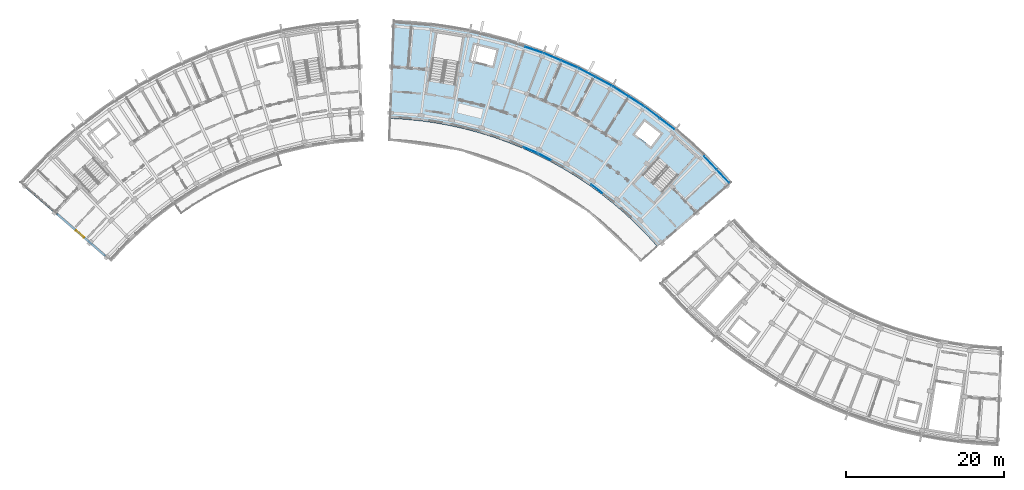
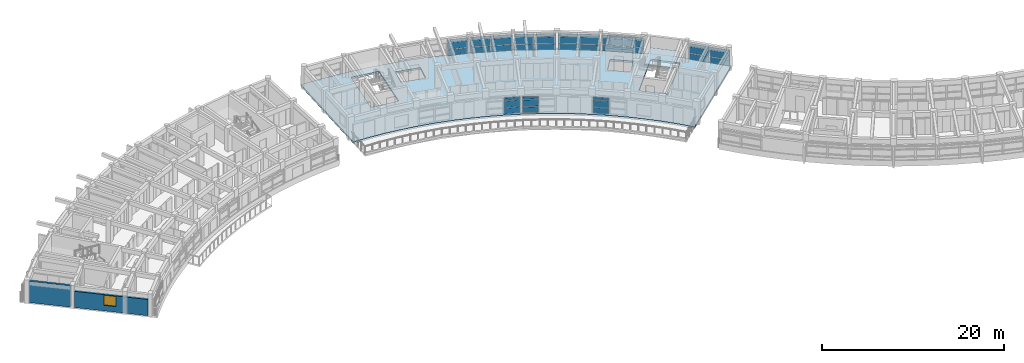
# One storey, part 19 of 38: 42 plates, 2 slabs, 2 walls, 1 window, 1 opening, 10 elements without a shape of their own.
"""IFC4 building model written with IfcOpenShell, lengths in metres."""

from ifc_helpers import new_model, si_unit, direction, frame, frame_2d, origin, origin_2d, place, context, subcontext, project, spatial, polyline, rectangle, outline, extrude, material, layer, layer_set, type_object, element, fill, aggregate, save


model = new_model("IFC4")

# Units and contexts
model_context = context("Model", 3, precision=1e-05, world=origin(), true_north=direction((0.0, 1.0)))
body_context = subcontext(model_context, "Body", "Model", "MODEL_VIEW")
ifc_project = project(units=[si_unit("LENGTHUNIT", "METRE"), si_unit("AREAUNIT", "SQUARE_METRE"), si_unit("VOLUMEUNIT", "CUBIC_METRE"), si_unit("PLANEANGLEUNIT", "RADIAN"), si_unit("MASSUNIT", "GRAM", prefix="KILO")], contexts=[model_context])

# Site, building, storey
site_placement = place(None, origin())
site = spatial("IfcSite", under=ifc_project, at=site_placement, CompositionType="ELEMENT")
building_placement = place(site_placement, origin())
building = spatial("IfcBuilding", under=site, at=building_placement, Name="Zimvara Arc Housing Community", CompositionType="ELEMENT")
storey_placement = place(building_placement, frame((0.0, 0.0, 29.800048828125)))
storey = spatial("IfcBuildingStorey", under=building, at=storey_placement, Name="L09", CompositionType="ELEMENT", Elevation=29.800048828125)

# Curtain wall, plates
ifc_material_1 = material(Name="Anodised Aluminium AW-6063", Category="aluminium")
curtain_wall_type_1 = type_object("IfcCurtainWallType", Name="CW-SYS-08", PredefinedType="USERDEFINED", material=ifc_material_1)
curtain_wall_1_placement = place(storey_placement, origin())
curtain_wall_1 = element("IfcCurtainWall", 1, at=curtain_wall_1_placement, inside=storey, type_object=curtain_wall_type_1, Name="cw:blkB:L09:in:b4", ObjectType="CURTAIN WALL", PredefinedType="USERDEFINED")
ifc_material_2 = material(Name="Pale-Gold Anodised Aluminium Spandrel Panel", Category="aluminium")
ifc_layer_1 = layer(ifc_material_2, 0.035888671875)
ifc_layer_set_1 = layer_set([ifc_layer_1], Name="Pale-Gold Anodised Aluminium Spandrel Panel")
plate_type_1 = type_object("IfcPlateType", Name="CWP-GLD-36", PredefinedType="CURTAIN_PANEL", material=ifc_layer_set_1)
plate_1_placement = place(storey_placement, frame((64.5576171875, 87.66552734375, 0.06494140625), z_axis=(0.0, 0.0, 1.0), x_axis=(0.918722411261, -0.394903951674, 0.0)))
plate_1 = element("IfcPlate", 2, at=plate_1_placement, type_object=plate_type_1, Name="CW08 panel 2.1", PredefinedType="CURTAIN_PANEL", context=body_context, shape_type="SweptSolid", body=[
    extrude(rectangle(XDim=1.778564453125, YDim=0.035888671875, at=origin_2d()), origin(), (0.0, 0.0, 1.0), 0.75244140625),
])
plate_2_placement = place(storey_placement, frame((64.5576171875, 87.66552734375, 0.88232421875), z_axis=(0.0, 0.0, 1.0), x_axis=(0.918722411261, -0.394903951674, 0.0)))
plate_2 = element("IfcPlate", 3, at=plate_2_placement, type_object=plate_type_1, Name="CW08 panel 2.2", PredefinedType="CURTAIN_PANEL", context=body_context, shape_type="SweptSolid", body=[
    extrude(rectangle(XDim=1.778564453125, YDim=0.035888671875, at=origin_2d()), origin(), (0.0, 0.0, 1.0), 0.885009765625),
])
plate_3_placement = place(storey_placement, frame((64.5576171875, 87.66552734375, 1.83251953125), z_axis=(0.0, 0.0, 1.0), x_axis=(0.918722411261, -0.394903951674, 0.0)))
plate_3 = element("IfcPlate", 4, at=plate_3_placement, type_object=plate_type_1, Name="CW08 panel 2.3", PredefinedType="CURTAIN_PANEL", context=body_context, shape_type="SweptSolid", body=[
    extrude(rectangle(XDim=1.778564453125, YDim=0.035888671875, at=origin_2d()), origin(), (0.0, 0.0, 1.0), 0.3525390625),
])
aggregate(curtain_wall_1, [plate_1, plate_2, plate_3])

ifc_material_3 = material(Name="Anodised Aluminium AW-6063", Category="aluminium")
curtain_wall_type_2 = type_object("IfcCurtainWallType", Name="CW-SYS-04", PredefinedType="USERDEFINED", material=ifc_material_3)
curtain_wall_2_placement = place(storey_placement, origin())
curtain_wall_2 = element("IfcCurtainWall", 5, at=curtain_wall_2_placement, inside=storey, type_object=curtain_wall_type_2, Name="cw:blkB:L09:out:b7", ObjectType="CURTAIN WALL", PredefinedType="USERDEFINED")
plate_4_placement = place(storey_placement, frame((80.026123046875, 92.40234375, 0.06494140625), z_axis=(0.0, 0.0, 1.0), x_axis=(0.795473999177, -0.60598771987, 0.0)))
plate_4 = element("IfcPlate", 6, at=plate_4_placement, type_object=plate_type_1, Name="CW04 panel 1.1", PredefinedType="CURTAIN_PANEL", context=body_context, shape_type="SweptSolid", body=[
    extrude(rectangle(XDim=2.266845703125, YDim=0.035888671875, at=origin_2d()), origin(), (0.0, 0.0, 1.0), 0.75244140625),
])
plate_5_placement = place(storey_placement, frame((80.026123046875, 92.40234375, 0.88232421875), z_axis=(0.0, 0.0, 1.0), x_axis=(0.795473999177, -0.60598771987, 0.0)))
plate_5 = element("IfcPlate", 7, at=plate_5_placement, type_object=plate_type_1, Name="CW04 panel 1.2", PredefinedType="CURTAIN_PANEL", context=body_context, shape_type="SweptSolid", body=[
    extrude(rectangle(XDim=2.266845703125, YDim=0.035888671875, at=origin_2d()), origin(), (0.0, 0.0, 1.0), 0.885009765625),
])
plate_6_placement = place(storey_placement, frame((80.026123046875, 92.40234375, 1.83251953125), z_axis=(0.0, 0.0, 1.0), x_axis=(0.795473999177, -0.60598771987, 0.0)))
plate_6 = element("IfcPlate", 8, at=plate_6_placement, type_object=plate_type_1, Name="CW04 panel 1.3", PredefinedType="CURTAIN_PANEL", context=body_context, shape_type="SweptSolid", body=[
    extrude(rectangle(XDim=2.266845703125, YDim=0.035888671875, at=origin_2d()), origin(), (0.0, 0.0, 1.0), 0.3525390625),
])
plate_7_placement = place(storey_placement, frame((81.881103515625, 90.9892578125, 0.06494140625), z_axis=(0.0, 0.0, 1.0), x_axis=(0.795473999177, -0.60598771987, 0.0)))
plate_7 = element("IfcPlate", 9, at=plate_7_placement, type_object=plate_type_1, Name="CW04 panel 2.1", PredefinedType="CURTAIN_PANEL", context=body_context, shape_type="SweptSolid", body=[
    extrude(rectangle(XDim=2.266845703125, YDim=0.035888671875, at=origin_2d()), origin(), (0.0, 0.0, 1.0), 0.75244140625),
])
plate_8_placement = place(storey_placement, frame((81.881103515625, 90.9892578125, 0.88232421875), z_axis=(0.0, 0.0, 1.0), x_axis=(0.795473999177, -0.60598771987, 0.0)))
plate_8 = element("IfcPlate", 10, at=plate_8_placement, type_object=plate_type_1, Name="CW04 panel 2.2", PredefinedType="CURTAIN_PANEL", context=body_context, shape_type="SweptSolid", body=[
    extrude(rectangle(XDim=2.266845703125, YDim=0.035888671875, at=origin_2d()), origin(), (0.0, 0.0, 1.0), 0.885009765625),
])
plate_9_placement = place(storey_placement, frame((81.881103515625, 90.9892578125, 1.83251953125), z_axis=(0.0, 0.0, 1.0), x_axis=(0.795473999177, -0.60598771987, 0.0)))
plate_9 = element("IfcPlate", 11, at=plate_9_placement, type_object=plate_type_1, Name="CW04 panel 2.3", PredefinedType="CURTAIN_PANEL", context=body_context, shape_type="SweptSolid", body=[
    extrude(rectangle(XDim=2.266845703125, YDim=0.035888671875, at=origin_2d()), origin(), (0.0, 0.0, 1.0), 0.3525390625),
])
aggregate(curtain_wall_2, [plate_4, plate_5, plate_6, plate_7, plate_8, plate_9])

ifc_material_4 = material(Name="Anodised Aluminium AW-6063", Category="aluminium")
curtain_wall_type_3 = type_object("IfcCurtainWallType", Name="CW-SYS-01", PredefinedType="USERDEFINED", material=ifc_material_4)
curtain_wall_3_placement = place(storey_placement, origin())
curtain_wall_3 = element("IfcCurtainWall", 12, at=curtain_wall_3_placement, inside=storey, type_object=curtain_wall_type_3, Name="cw:blkB:L09:out:b5", ObjectType="CURTAIN WALL", PredefinedType="USERDEFINED")
ifc_material_5 = material(Name="Solar Control Low-E Double Glazing", Category="glass")
ifc_layer_2 = layer(ifc_material_5, 0.02392578125)
ifc_layer_set_2 = layer_set([ifc_layer_2], Name="Solar Control Low-E Double Glazing")
plate_type_2 = type_object("IfcPlateType", Name="CWP-GLZ-24", PredefinedType="CURTAIN_PANEL", material=ifc_layer_set_2)
plate_10_placement = place(storey_placement, frame((71.76904296875, 97.461181640625, 0.06494140625), z_axis=(0.0, 0.0, 1.0), x_axis=(0.883438614651, -0.468546917761, 0.0)))
plate_10 = element("IfcPlate", 13, at=plate_10_placement, type_object=plate_type_2, Name="CW01 panel 1.1", PredefinedType="CURTAIN_PANEL", context=body_context, shape_type="SweptSolid", body=[
    extrude(rectangle(XDim=2.266845703125, YDim=0.02392578125, at=origin_2d()), origin(), (0.0, 0.0, 1.0), 0.75244140625),
])
plate_11_placement = place(storey_placement, frame((71.76904296875, 97.461181640625, 0.88232421875), z_axis=(0.0, 0.0, 1.0), x_axis=(0.883438614651, -0.468546917761, 0.0)))
plate_11 = element("IfcPlate", 14, at=plate_11_placement, type_object=plate_type_2, Name="CW01 panel 1.2", PredefinedType="CURTAIN_PANEL", context=body_context, shape_type="SweptSolid", body=[
    extrude(rectangle(XDim=2.266845703125, YDim=0.02392578125, at=origin_2d()), origin(), (0.0, 0.0, 1.0), 0.885009765625),
])
plate_12_placement = place(storey_placement, frame((71.76904296875, 97.461181640625, 1.83251953125), z_axis=(0.0, 0.0, 1.0), x_axis=(0.883438614651, -0.468546917761, 0.0)))
plate_12 = element("IfcPlate", 15, at=plate_12_placement, type_object=plate_type_2, Name="CW01 panel 1.3", PredefinedType="CURTAIN_PANEL", context=body_context, shape_type="SweptSolid", body=[
    extrude(rectangle(XDim=2.266845703125, YDim=0.02392578125, at=origin_2d()), origin(), (0.0, 0.0, 1.0), 0.3525390625),
])
plate_13_placement = place(storey_placement, frame((73.8291015625, 96.36865234375, 0.06494140625), z_axis=(0.0, 0.0, 1.0), x_axis=(0.883438614651, -0.468546917761, 0.0)))
plate_13 = element("IfcPlate", 16, at=plate_13_placement, type_object=plate_type_2, Name="CW01 panel 2.1", PredefinedType="CURTAIN_PANEL", context=body_context, shape_type="SweptSolid", body=[
    extrude(rectangle(XDim=2.266845703125, YDim=0.02392578125, at=origin_2d()), origin(), (0.0, 0.0, 1.0), 0.75244140625),
])
plate_14_placement = place(storey_placement, frame((73.8291015625, 96.36865234375, 0.88232421875), z_axis=(0.0, 0.0, 1.0), x_axis=(0.883438614651, -0.468546917761, 0.0)))
plate_14 = element("IfcPlate", 17, at=plate_14_placement, type_object=plate_type_2, Name="CW01 panel 2.2", PredefinedType="CURTAIN_PANEL", context=body_context, shape_type="SweptSolid", body=[
    extrude(rectangle(XDim=2.266845703125, YDim=0.02392578125, at=origin_2d()), origin(), (0.0, 0.0, 1.0), 0.885009765625),
])
plate_15_placement = place(storey_placement, frame((73.8291015625, 96.36865234375, 1.83251953125), z_axis=(0.0, 0.0, 1.0), x_axis=(0.883438614651, -0.468546917761, 0.0)))
plate_15 = element("IfcPlate", 18, at=plate_15_placement, type_object=plate_type_2, Name="CW01 panel 2.3", PredefinedType="CURTAIN_PANEL", context=body_context, shape_type="SweptSolid", body=[
    extrude(rectangle(XDim=2.266845703125, YDim=0.02392578125, at=origin_2d()), origin(), (0.0, 0.0, 1.0), 0.3525390625),
])
aggregate(curtain_wall_3, [plate_10, plate_11, plate_12, plate_13, plate_14, plate_15])

ifc_material_6 = material(Name="Anodised Aluminium AW-6063", Category="aluminium")
curtain_wall_type_4 = type_object("IfcCurtainWallType", Name="CW-SYS-05", PredefinedType="USERDEFINED", material=ifc_material_6)
curtain_wall_4_placement = place(storey_placement, origin())
curtain_wall_4 = element("IfcCurtainWall", 19, at=curtain_wall_4_placement, inside=storey, type_object=curtain_wall_type_4, Name="cw:blkB:L09:in:b7", ObjectType="CURTAIN WALL", PredefinedType="USERDEFINED")
plate_16_placement = place(storey_placement, frame((72.978759765625, 82.74853515625, 0.06494140625), z_axis=(0.0, 0.0, 1.0), x_axis=(0.795473930895, -0.605987809503, 0.0)))
plate_16 = element("IfcPlate", 20, at=plate_16_placement, type_object=plate_type_2, Name="CW05 panel 1.1", PredefinedType="CURTAIN_PANEL", context=body_context, shape_type="SweptSolid", body=[
    extrude(rectangle(XDim=1.778564453125, YDim=0.02392578125, at=origin_2d()), origin(), (0.0, 0.0, 1.0), 0.75244140625),
])
plate_17_placement = place(storey_placement, frame((72.978759765625, 82.74853515625, 0.88232421875), z_axis=(0.0, 0.0, 1.0), x_axis=(0.795473930895, -0.605987809503, 0.0)))
plate_17 = element("IfcPlate", 21, at=plate_17_placement, type_object=plate_type_2, Name="CW05 panel 1.2", PredefinedType="CURTAIN_PANEL", context=body_context, shape_type="SweptSolid", body=[
    extrude(rectangle(XDim=1.778564453125, YDim=0.02392578125, at=origin_2d()), origin(), (0.0, 0.0, 1.0), 0.885009765625),
])
plate_18_placement = place(storey_placement, frame((72.978759765625, 82.74853515625, 1.83251953125), z_axis=(0.0, 0.0, 1.0), x_axis=(0.795473930895, -0.605987809503, 0.0)))
plate_18 = element("IfcPlate", 22, at=plate_18_placement, type_object=plate_type_2, Name="CW05 panel 1.3", PredefinedType="CURTAIN_PANEL", context=body_context, shape_type="SweptSolid", body=[
    extrude(rectangle(XDim=1.778564453125, YDim=0.02392578125, at=origin_2d()), origin(), (0.0, 0.0, 1.0), 0.3525390625),
])
aggregate(curtain_wall_4, [plate_16, plate_17, plate_18])

ifc_material_7 = material(Name="Anodised Aluminium AW-6063", Category="aluminium")
curtain_wall_type_5 = type_object("IfcCurtainWallType", Name="CW-SYS-06", PredefinedType="USERDEFINED", material=ifc_material_7)
curtain_wall_5_placement = place(storey_placement, origin())
curtain_wall_5 = element("IfcCurtainWall", 23, at=curtain_wall_5_placement, inside=storey, type_object=curtain_wall_type_5, Name="cw:blkB:L09:out:b3", ObjectType="CURTAIN WALL", PredefinedType="USERDEFINED")
ifc_material_8 = material(Name="Solar Control Low-E Double Glazing", Category="glass")
ifc_layer_3 = layer(ifc_material_8, 0.028076171875)
ifc_layer_set_3 = layer_set([ifc_layer_3], Name="Solar Control Low-E Double Glazing")
plate_type_3 = type_object("IfcPlateType", Name="CWP-GLZ-28", PredefinedType="CURTAIN_PANEL", material=ifc_layer_set_3)
plate_19_placement = place(storey_placement, frame((65.009521484375, 100.36669921875, 0.06494140625), z_axis=(0.0, 0.0, 1.0), x_axis=(0.947879647164, -0.318628583921, 0.0)))
plate_19 = element("IfcPlate", 24, at=plate_19_placement, type_object=plate_type_3, Name="CW06 panel 2.1", PredefinedType="CURTAIN_PANEL", context=body_context, shape_type="SweptSolid", body=[
    extrude(rectangle(XDim=2.266845703125, YDim=0.028076171875, at=origin_2d()), origin(), (0.0, 0.0, 1.0), 0.75244140625),
])
plate_20_placement = place(storey_placement, frame((65.009521484375, 100.36669921875, 0.88232421875), z_axis=(0.0, 0.0, 1.0), x_axis=(0.947879647164, -0.318628583921, 0.0)))
plate_20 = element("IfcPlate", 25, at=plate_20_placement, type_object=plate_type_3, Name="CW06 panel 2.2", PredefinedType="CURTAIN_PANEL", context=body_context, shape_type="SweptSolid", body=[
    extrude(rectangle(XDim=2.266845703125, YDim=0.028076171875, at=origin_2d()), origin(), (0.0, 0.0, 1.0), 0.885009765625),
])
plate_21_placement = place(storey_placement, frame((65.009521484375, 100.36669921875, 1.83251953125), z_axis=(0.0, 0.0, 1.0), x_axis=(0.947879647164, -0.318628583921, 0.0)))
plate_21 = element("IfcPlate", 26, at=plate_21_placement, type_object=plate_type_3, Name="CW06 panel 2.3", PredefinedType="CURTAIN_PANEL", context=body_context, shape_type="SweptSolid", body=[
    extrude(rectangle(XDim=2.266845703125, YDim=0.028076171875, at=origin_2d()), origin(), (0.0, 0.0, 1.0), 0.3525390625),
])
aggregate(curtain_wall_5, [plate_19, plate_20, plate_21])

ifc_material_9 = material(Name="Anodised Aluminium AW-6063", Category="aluminium")
curtain_wall_type_6 = type_object("IfcCurtainWallType", Name="CW-SYS-02", PredefinedType="USERDEFINED", material=ifc_material_9)
curtain_wall_6_placement = place(storey_placement, origin())
curtain_wall_6 = element("IfcCurtainWall", 27, at=curtain_wall_6_placement, inside=storey, type_object=curtain_wall_type_6, Name="cw:blkB:L09:in:b5", ObjectType="CURTAIN WALL", PredefinedType="USERDEFINED")
plate_22_placement = place(storey_placement, frame((66.385498046875, 86.78955078125, 0.06494140625), z_axis=(0.0, 0.0, 1.0), x_axis=(0.883438518424, -0.468547099195, 0.0)))
plate_22 = element("IfcPlate", 28, at=plate_22_placement, type_object=plate_type_3, Name="CW02 panel 1.1", PredefinedType="CURTAIN_PANEL", context=body_context, shape_type="SweptSolid", body=[
    extrude(rectangle(XDim=1.778564453125, YDim=0.028076171875, at=origin_2d()), origin(), (0.0, 0.0, 1.0), 0.75244140625),
])
plate_23_placement = place(storey_placement, frame((66.385498046875, 86.78955078125, 0.88232421875), z_axis=(0.0, 0.0, 1.0), x_axis=(0.883438518424, -0.468547099195, 0.0)))
plate_23 = element("IfcPlate", 29, at=plate_23_placement, type_object=plate_type_3, Name="CW02 panel 1.2", PredefinedType="CURTAIN_PANEL", context=body_context, shape_type="SweptSolid", body=[
    extrude(rectangle(XDim=1.778564453125, YDim=0.028076171875, at=origin_2d()), origin(), (0.0, 0.0, 1.0), 0.885009765625),
])
plate_24_placement = place(storey_placement, frame((66.385498046875, 86.78955078125, 1.83251953125), z_axis=(0.0, 0.0, 1.0), x_axis=(0.883438518424, -0.468547099195, 0.0)))
plate_24 = element("IfcPlate", 30, at=plate_24_placement, type_object=plate_type_3, Name="CW02 panel 1.3", PredefinedType="CURTAIN_PANEL", context=body_context, shape_type="SweptSolid", body=[
    extrude(rectangle(XDim=1.778564453125, YDim=0.028076171875, at=origin_2d()), origin(), (0.0, 0.0, 1.0), 0.3525390625),
])
aggregate(curtain_wall_6, [plate_22, plate_23, plate_24])

curtain_wall_7_placement = place(storey_placement, origin())
curtain_wall_7 = element("IfcCurtainWall", 31, at=curtain_wall_7_placement, inside=storey, type_object=curtain_wall_type_5, Name="cw:blkB:L09:out:b9", ObjectType="CURTAIN WALL", PredefinedType="USERDEFINED")
plate_25_placement = place(storey_placement, frame((87.350341796875, 86.068115234375, 0.06494140625), z_axis=(0.0, 0.0, 1.0), x_axis=(0.686326416495, -0.727293647725, 0.0)))
plate_25 = element("IfcPlate", 32, at=plate_25_placement, type_object=plate_type_3, Name="CW06 panel 1.1", PredefinedType="CURTAIN_PANEL", context=body_context, shape_type="SweptSolid", body=[
    extrude(rectangle(XDim=2.266845703125, YDim=0.028076171875, at=origin_2d()), origin(), (0.0, 0.0, 1.0), 0.75244140625),
])
plate_26_placement = place(storey_placement, frame((87.350341796875, 86.068115234375, 0.88232421875), z_axis=(0.0, 0.0, 1.0), x_axis=(0.686326416495, -0.727293647725, 0.0)))
plate_26 = element("IfcPlate", 33, at=plate_26_placement, type_object=plate_type_3, Name="CW06 panel 1.2", PredefinedType="CURTAIN_PANEL", context=body_context, shape_type="SweptSolid", body=[
    extrude(rectangle(XDim=2.266845703125, YDim=0.028076171875, at=origin_2d()), origin(), (0.0, 0.0, 1.0), 0.885009765625),
])
plate_27_placement = place(storey_placement, frame((87.350341796875, 86.068115234375, 1.83251953125), z_axis=(0.0, 0.0, 1.0), x_axis=(0.686326416495, -0.727293647725, 0.0)))
plate_27 = element("IfcPlate", 34, at=plate_27_placement, type_object=plate_type_3, Name="CW06 panel 1.3", PredefinedType="CURTAIN_PANEL", context=body_context, shape_type="SweptSolid", body=[
    extrude(rectangle(XDim=2.266845703125, YDim=0.028076171875, at=origin_2d()), origin(), (0.0, 0.0, 1.0), 0.3525390625),
])
plate_28_placement = place(storey_placement, frame((88.950927734375, 84.3720703125, 0.06494140625), z_axis=(0.0, 0.0, 1.0), x_axis=(0.686326416495, -0.727293647725, 0.0)))
plate_28 = element("IfcPlate", 35, at=plate_28_placement, type_object=plate_type_3, Name="CW06 panel 2.1", PredefinedType="CURTAIN_PANEL", context=body_context, shape_type="SweptSolid", body=[
    extrude(rectangle(XDim=2.266845703125, YDim=0.028076171875, at=origin_2d()), origin(), (0.0, 0.0, 1.0), 0.75244140625),
])
plate_29_placement = place(storey_placement, frame((88.950927734375, 84.3720703125, 0.88232421875), z_axis=(0.0, 0.0, 1.0), x_axis=(0.686326416495, -0.727293647725, 0.0)))
plate_29 = element("IfcPlate", 36, at=plate_29_placement, type_object=plate_type_3, Name="CW06 panel 2.2", PredefinedType="CURTAIN_PANEL", context=body_context, shape_type="SweptSolid", body=[
    extrude(rectangle(XDim=2.266845703125, YDim=0.028076171875, at=origin_2d()), origin(), (0.0, 0.0, 1.0), 0.885009765625),
])
plate_30_placement = place(storey_placement, frame((88.950927734375, 84.3720703125, 1.83251953125), z_axis=(0.0, 0.0, 1.0), x_axis=(0.686326416495, -0.727293647725, 0.0)))
plate_30 = element("IfcPlate", 37, at=plate_30_placement, type_object=plate_type_3, Name="CW06 panel 2.3", PredefinedType="CURTAIN_PANEL", context=body_context, shape_type="SweptSolid", body=[
    extrude(rectangle(XDim=2.266845703125, YDim=0.028076171875, at=origin_2d()), origin(), (0.0, 0.0, 1.0), 0.3525390625),
])
aggregate(curtain_wall_7, [plate_25, plate_26, plate_27, plate_28, plate_29, plate_30])

ifc_material_10 = material(Name="Anodised Aluminium AW-6063", Category="aluminium")
curtain_wall_type_7 = type_object("IfcCurtainWallType", Name="CW-SYS-07", PredefinedType="USERDEFINED", material=ifc_material_10)
curtain_wall_8_placement = place(storey_placement, origin())
curtain_wall_8 = element("IfcCurtainWall", 38, at=curtain_wall_8_placement, inside=storey, type_object=curtain_wall_type_7, Name="cw:blkB:L09:out:b4", ObjectType="CURTAIN WALL", PredefinedType="USERDEFINED")
ifc_material_11 = material(Name="Acoustic Laminated Solar Glazing", Category="glass")
ifc_layer_4 = layer(ifc_material_11, 0.031982421875)
ifc_layer_set_4 = layer_set([ifc_layer_4], Name="Acoustic Laminated Solar Glazing")
plate_type_4 = type_object("IfcPlateType", Name="CWP-GLZ-32", PredefinedType="CURTAIN_PANEL", material=ifc_layer_set_4)
plate_31_placement = place(storey_placement, frame((67.358642578125, 99.46875, 0.06494140625), z_axis=(0.0, 0.0, 1.0), x_axis=(0.918722299363, -0.394904211998, 0.0)))
plate_31 = element("IfcPlate", 39, at=plate_31_placement, type_object=plate_type_4, Name="CW07 panel 1.1", PredefinedType="CURTAIN_PANEL", context=body_context, shape_type="SweptSolid", body=[
    extrude(rectangle(XDim=2.266845703125, YDim=0.031982421875, at=origin_2d()), origin(), (0.0, 0.0, 1.0), 0.75244140625),
])
plate_32_placement = place(storey_placement, frame((67.358642578125, 99.46875, 0.88232421875), z_axis=(0.0, 0.0, 1.0), x_axis=(0.918722299363, -0.394904211998, 0.0)))
plate_32 = element("IfcPlate", 40, at=plate_32_placement, type_object=plate_type_4, Name="CW07 panel 1.2", PredefinedType="CURTAIN_PANEL", context=body_context, shape_type="SweptSolid", body=[
    extrude(rectangle(XDim=2.266845703125, YDim=0.031982421875, at=origin_2d()), origin(), (0.0, 0.0, 1.0), 0.885009765625),
])
plate_33_placement = place(storey_placement, frame((67.358642578125, 99.46875, 1.83251953125), z_axis=(0.0, 0.0, 1.0), x_axis=(0.918722299363, -0.394904211998, 0.0)))
plate_33 = element("IfcPlate", 41, at=plate_33_placement, type_object=plate_type_4, Name="CW07 panel 1.3", PredefinedType="CURTAIN_PANEL", context=body_context, shape_type="SweptSolid", body=[
    extrude(rectangle(XDim=2.266845703125, YDim=0.031982421875, at=origin_2d()), origin(), (0.0, 0.0, 1.0), 0.3525390625),
])
plate_34_placement = place(storey_placement, frame((69.5009765625, 98.5478515625, 0.06494140625), z_axis=(0.0, 0.0, 1.0), x_axis=(0.918722299363, -0.394904211998, 0.0)))
plate_34 = element("IfcPlate", 42, at=plate_34_placement, type_object=plate_type_4, Name="CW07 panel 2.1", PredefinedType="CURTAIN_PANEL", context=body_context, shape_type="SweptSolid", body=[
    extrude(rectangle(XDim=2.266845703125, YDim=0.031982421875, at=origin_2d()), origin(), (0.0, 0.0, 1.0), 0.75244140625),
])
plate_35_placement = place(storey_placement, frame((69.5009765625, 98.5478515625, 0.88232421875), z_axis=(0.0, 0.0, 1.0), x_axis=(0.918722299363, -0.394904211998, 0.0)))
plate_35 = element("IfcPlate", 43, at=plate_35_placement, type_object=plate_type_4, Name="CW07 panel 2.2", PredefinedType="CURTAIN_PANEL", context=body_context, shape_type="SweptSolid", body=[
    extrude(rectangle(XDim=2.266845703125, YDim=0.031982421875, at=origin_2d()), origin(), (0.0, 0.0, 1.0), 0.885009765625),
])
plate_36_placement = place(storey_placement, frame((69.5009765625, 98.5478515625, 1.83251953125), z_axis=(0.0, 0.0, 1.0), x_axis=(0.918722299363, -0.394904211998, 0.0)))
plate_36 = element("IfcPlate", 44, at=plate_36_placement, type_object=plate_type_4, Name="CW07 panel 2.3", PredefinedType="CURTAIN_PANEL", context=body_context, shape_type="SweptSolid", body=[
    extrude(rectangle(XDim=2.266845703125, YDim=0.031982421875, at=origin_2d()), origin(), (0.0, 0.0, 1.0), 0.3525390625),
])
aggregate(curtain_wall_8, [plate_31, plate_32, plate_33, plate_34, plate_35, plate_36])

ifc_material_12 = material(Name="Anodised Aluminium AW-6063", Category="aluminium")
curtain_wall_type_8 = type_object("IfcCurtainWallType", Name="CW-SYS-03", PredefinedType="USERDEFINED", material=ifc_material_12)
curtain_wall_9_placement = place(storey_placement, origin())
curtain_wall_9 = element("IfcCurtainWall", 45, at=curtain_wall_9_placement, inside=storey, type_object=curtain_wall_type_8, Name="cw:blkB:L09:out:b6", ObjectType="CURTAIN WALL", PredefinedType="USERDEFINED")
plate_37_placement = place(storey_placement, frame((76.0009765625, 95.1005859375, 0.06494140625), z_axis=(0.0, 0.0, 1.0), x_axis=(0.842264410931, -0.539064617721, 0.0)))
plate_37 = element("IfcPlate", 46, at=plate_37_placement, type_object=plate_type_4, Name="CW03 panel 1.1", PredefinedType="CURTAIN_PANEL", context=body_context, shape_type="SweptSolid", body=[
    extrude(rectangle(XDim=2.266845703125, YDim=0.031982421875, at=origin_2d()), origin(), (0.0, 0.0, 1.0), 0.75244140625),
])
plate_38_placement = place(storey_placement, frame((76.0009765625, 95.1005859375, 0.88232421875), z_axis=(0.0, 0.0, 1.0), x_axis=(0.842264410931, -0.539064617721, 0.0)))
plate_38 = element("IfcPlate", 47, at=plate_38_placement, type_object=plate_type_4, Name="CW03 panel 1.2", PredefinedType="CURTAIN_PANEL", context=body_context, shape_type="SweptSolid", body=[
    extrude(rectangle(XDim=2.266845703125, YDim=0.031982421875, at=origin_2d()), origin(), (0.0, 0.0, 1.0), 0.885009765625),
])
plate_39_placement = place(storey_placement, frame((76.0009765625, 95.1005859375, 1.83251953125), z_axis=(0.0, 0.0, 1.0), x_axis=(0.842264410931, -0.539064617721, 0.0)))
plate_39 = element("IfcPlate", 48, at=plate_39_placement, type_object=plate_type_4, Name="CW03 panel 1.3", PredefinedType="CURTAIN_PANEL", context=body_context, shape_type="SweptSolid", body=[
    extrude(rectangle(XDim=2.266845703125, YDim=0.031982421875, at=origin_2d()), origin(), (0.0, 0.0, 1.0), 0.3525390625),
])
plate_40_placement = place(storey_placement, frame((77.965087890625, 93.843505859375, 0.06494140625), z_axis=(0.0, 0.0, 1.0), x_axis=(0.842264410931, -0.539064617721, 0.0)))
plate_40 = element("IfcPlate", 49, at=plate_40_placement, type_object=plate_type_4, Name="CW03 panel 2.1", PredefinedType="CURTAIN_PANEL", context=body_context, shape_type="SweptSolid", body=[
    extrude(rectangle(XDim=2.266845703125, YDim=0.031982421875, at=origin_2d()), origin(), (0.0, 0.0, 1.0), 0.75244140625),
])
plate_41_placement = place(storey_placement, frame((77.965087890625, 93.843505859375, 0.88232421875), z_axis=(0.0, 0.0, 1.0), x_axis=(0.842264410931, -0.539064617721, 0.0)))
plate_41 = element("IfcPlate", 50, at=plate_41_placement, type_object=plate_type_4, Name="CW03 panel 2.2", PredefinedType="CURTAIN_PANEL", context=body_context, shape_type="SweptSolid", body=[
    extrude(rectangle(XDim=2.266845703125, YDim=0.031982421875, at=origin_2d()), origin(), (0.0, 0.0, 1.0), 0.885009765625),
])
plate_42_placement = place(storey_placement, frame((77.965087890625, 93.843505859375, 1.83251953125), z_axis=(0.0, 0.0, 1.0), x_axis=(0.842264410931, -0.539064617721, 0.0)))
plate_42 = element("IfcPlate", 51, at=plate_42_placement, type_object=plate_type_4, Name="CW03 panel 2.3", PredefinedType="CURTAIN_PANEL", context=body_context, shape_type="SweptSolid", body=[
    extrude(rectangle(XDim=2.266845703125, YDim=0.031982421875, at=origin_2d()), origin(), (0.0, 0.0, 1.0), 0.3525390625),
])
aggregate(curtain_wall_9, [plate_37, plate_38, plate_39, plate_40, plate_41, plate_42])

# Stair, slab
ifc_material_13 = material(Name="Concrete C35/45", Category="concrete")
stair_type = type_object("IfcStairType", Name="STR-DL-318-310", PredefinedType="HALF_TURN_STAIR", material=ifc_material_13)
stair_placement = place(storey_placement, origin())
stair = element("IfcStair", 52, at=stair_placement, inside=storey, type_object=stair_type, Name="L09 Block B Exit Stair 2", PredefinedType="HALF_TURN_STAIR")
ifc_material_14 = material(Name="Concrete C35/45", Category="concrete")
ifc_layer_5 = layer(ifc_material_14, 0.199951171875)
ifc_layer_set_5 = layer_set([ifc_layer_5], Name="Concrete C35/45")
slab_type_1 = type_object("IfcSlabType", Name="SLB-STAIR-LND-200", PredefinedType="LANDING", material=ifc_layer_set_5)
slab_1_placement = place(storey_placement, frame((0.0, 0.0, 1.349853515625)))
slab_1 = element("IfcSlab", 53, at=slab_1_placement, type_object=slab_type_1, Name="ST-B2 landing 1", PredefinedType="LANDING", context=body_context, shape_type="SweptSolid", body=[
    extrude(outline(polyline([(83.185302734375, 84.42724609375), (85.404541015625, 86.8935546875), (82.90673828125, 89.14111328125), (80.6875, 86.674560546875), (83.185302734375, 84.42724609375)])), origin(), (0.0, 0.0, 1.0), 0.2001953125),
])
aggregate(stair, [slab_1])

# Slab
ifc_material_15 = material(Name="Concrete C35/45", Category="concrete")
ifc_layer_6 = layer(ifc_material_15, 0.239990234375)
ifc_layer_set_6 = layer_set([ifc_layer_6], Name="Concrete C35/45")
slab_type_2 = type_object("IfcSlabType", Name="SLB-TYP-240", PredefinedType="FLOOR", material=ifc_layer_set_6)
slab_2_placement = place(storey_placement, frame((0.0, 0.0, -0.239990234375)))
element("IfcSlab", 54, at=slab_2_placement, inside=storey, type_object=slab_type_2, Name="slab:blkB:L09:main", PredefinedType="FLOOR", context=body_context, shape_type="SweptSolid", body=[
    extrude(outline(polyline([(46.81201171875, 91.665283203125), (48.736083984375, 91.552001953125), (50.654052734375, 91.360107421875), (52.562744140625, 91.090087890625), (54.45849609375, 90.74267578125), (56.3388671875, 90.31787109375), (58.199951171875, 89.816650390625), (60.039306640625, 89.239990234375), (61.853515625, 88.588623046875), (63.639404296875, 87.86376953125), (65.39453125, 87.06640625), (67.115478515625, 86.1982421875), (68.799560546875, 85.260498046875), (70.44384765625, 84.2548828125), (72.0458984375, 83.182861328125), (73.6025390625, 82.04638671875), (75.11181640625, 80.84716796875), (76.57080078125, 79.58740234375), (77.97705078125, 78.269287109375), (79.328369140625, 76.89453125), (80.622314453125, 75.466064453125), (89.980712890625, 83.60107421875), (88.3466796875, 85.405029296875), (86.640380859375, 87.140869140625), (84.86474609375, 88.805419921875), (83.0224609375, 90.39599609375), (81.116943359375, 91.91015625), (79.151123046875, 93.34521484375), (77.128173828125, 94.698974609375), (75.052001953125, 95.96875), (72.92529296875, 97.15283203125), (70.752197265625, 98.249267578125), (68.536376953125, 99.255859375), (66.281005859375, 100.171142578125), (63.990234375, 100.99365234375), (61.667724609375, 101.721923828125), (59.317626953125, 102.354736328125), (56.943359375, 102.89111328125), (54.549560546875, 103.330078125), (52.139404296875, 103.6708984375), (49.717529296875, 103.9130859375), (47.287841796875, 104.05615234375), (46.81201171875, 91.665283203125)]), holes=[polyline([(51.777099609375, 96.48583984375), (52.75439453125, 102.507080078125), (55.991943359375, 101.9814453125), (55.0146484375, 95.960205078125), (51.777099609375, 96.48583984375)]), polyline([(78.82958984375, 84.550048828125), (82.909912109375, 89.08447265625), (85.34814453125, 86.890625), (81.26806640625, 82.356201171875), (78.82958984375, 84.550048828125)]), polyline([(57.0263671875, 99.007080078125), (57.516357421875, 100.9873046875), (60.273193359375, 100.30517578125), (59.783203125, 98.324951171875), (57.0263671875, 99.007080078125)]), polyline([(77.803955078125, 89.656982421875), (79.0400390625, 91.27978515625), (81.060546875, 89.740478515625), (79.824462890625, 88.117919921875), (77.803955078125, 89.656982421875)])]), origin(), (0.0, 0.0, 1.0), 0.239990234375),
])

# Wall, opening, window
ifc_material_16 = material(Name="Board-Marked Fair-Faced Concrete C35/45", Category="concrete")
ifc_layer_7 = layer(ifc_material_16, 0.2548828125)
ifc_layer_set_7 = layer_set([ifc_layer_7], Name="Board-Marked Fair-Faced Concrete C35/45")
wall_type_1 = type_object("IfcWallType", Name="EWL-CONC-255", PredefinedType="SOLIDWALL", material=ifc_layer_set_7)
wall_1_placement = place(storey_placement, frame((10.766357421875, 74.2587890625, 0.0), z_axis=(0.0, 0.0, 1.0), x_axis=(-0.754717680958, 0.656049710044, 0.0)))
wall_1 = element("IfcWall", 55, at=wall_1_placement, inside=storey, type_object=wall_type_1, Name="ewall:blkA:L09:g0", PredefinedType="SOLIDWALL", context=body_context, shape_type="SweptSolid", body=[
    extrude(rectangle(XDim=8.199951171875, YDim=0.2548828125, at=frame_2d((4.10009765625, 0.0))), origin(), (0.0, 0.0, 1.0), 2.179931640625),
])
opening_placement = place(wall_1_placement, frame((3.590087890625, 0.0, 0.75)))
opening = element("IfcOpeningElement", 56, at=opening_placement, cuts=wall_1, Name="Opening W12", PredefinedType="OPENING", context=body_context, shape_type="SweptSolid", body=[
    extrude(rectangle(XDim=1.35009765625, YDim=1.35009765625, at=frame_2d((0.675048828125, 0.675048828125))), frame((0.0, 0.137451171875, 0.0), z_axis=(0.0, -1.0, 0.0), x_axis=(1.0, 0.0, 0.0)), (0.0, 0.0, 1.0), 0.27490234375),
])
ifc_material_17 = material(Name="Solar Control Low-E Double Glazing", Category="glass")
window_type = type_object("IfcWindowType", Name="WIN-RES-1350x1350", PartitioningType="DOUBLE_PANEL_VERTICAL", PredefinedType="WINDOW", material=ifc_material_17)
window_placement = place(opening_placement, origin())
window = element("IfcWindow", 57, at=window_placement, inside=storey, type_object=window_type, Name="win:blkA:L09:g0:w", OverallHeight=1.35009765625, OverallWidth=1.35009765625, PartitioningType="DOUBLE_PANEL_VERTICAL", PredefinedType="WINDOW", context=body_context, shape_type="SweptSolid", body=[
    extrude(rectangle(XDim=1.35009765625, YDim=1.35009765625, at=frame_2d((0.675048828125, 0.675048828125))), frame((0.0, 0.030029296875, 0.0), z_axis=(0.0, -1.0, 0.0), x_axis=(1.0, 0.0, 0.0)), (0.0, 0.0, 1.0), 0.06005859375),
])
fill(opening, window)

# Wall
ifc_material_18 = material(Name="Concrete C40/50", Category="concrete")
ifc_layer_8 = layer(ifc_material_18, 0.27001953125)
ifc_layer_set_8 = layer_set([ifc_layer_8], Name="Concrete C40/50")
wall_type_2 = type_object("IfcWallType", Name="WL-SHEAR-270", PredefinedType="SHEAR", material=ifc_layer_set_8)
wall_2_placement = place(storey_placement, frame((4.2607421875, 79.9140625, 0.0), z_axis=(0.0, 0.0, 1.0), x_axis=(-0.754703505217, 0.65606601742, 0.0)))
element("IfcWall", 58, at=wall_2_placement, inside=storey, type_object=wall_type_2, Name="swall:blkA:L09:west", PredefinedType="SHEAR", context=body_context, shape_type="SweptSolid", body=[
    extrude(rectangle(XDim=4.719970703125, YDim=0.27001953125, at=frame_2d((2.35986328125, 0.0))), origin(), (0.0, 0.0, 1.0), 2.85986328125),
])

save(model, "model.ifc")
